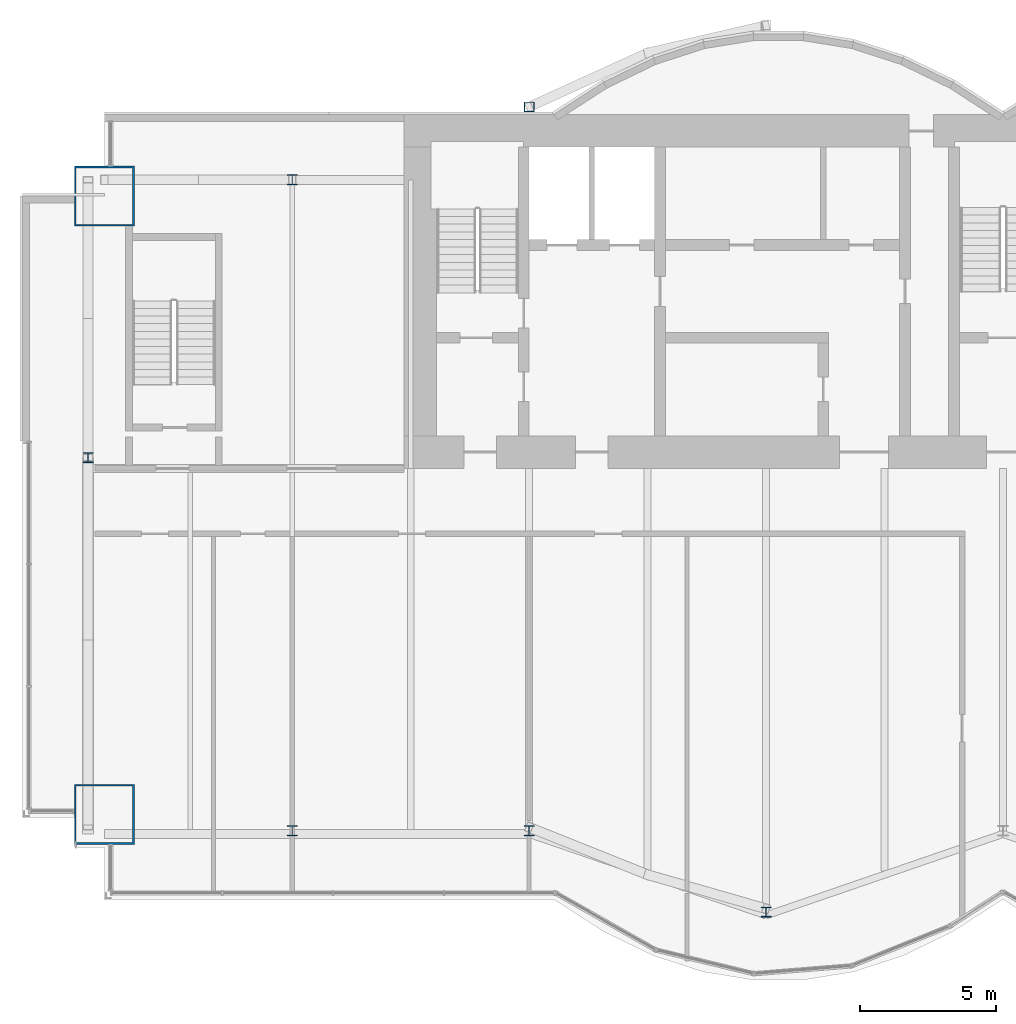
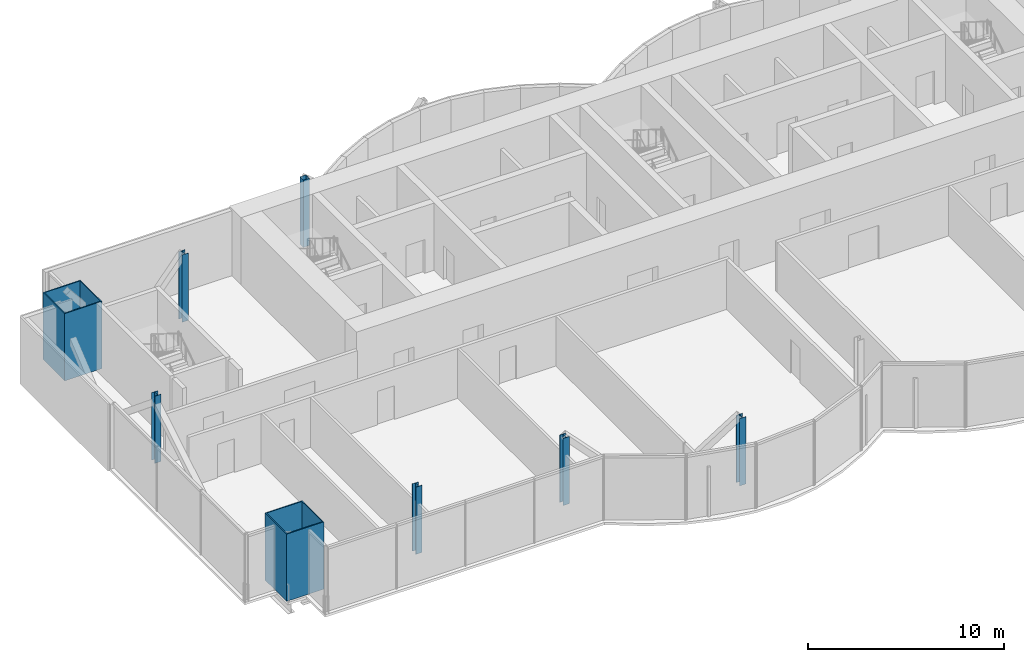
# One storey, part 1 of 19: 8 columns.
"""IFC4 building model written with IfcOpenShell, lengths in metres."""

from ifc_helpers import new_model, si_unit, direction, frame, origin, origin_2d, place, context, subcontext, project, spatial, hollow_rectangle, i_section, extrude, material, material_profile, profile_set, type_object, element, save


model = new_model("IFC4")

# Units and contexts
model_context = context("Model", 3, precision=1e-05, world=origin(), true_north=direction((0.0, 1.0)))
body_context = subcontext(model_context, "Body", "Model", "MODEL_VIEW")
ifc_project = project(units=[si_unit("LENGTHUNIT", "METRE"), si_unit("AREAUNIT", "SQUARE_METRE"), si_unit("VOLUMEUNIT", "CUBIC_METRE"), si_unit("PLANEANGLEUNIT", "RADIAN"), si_unit("MASSUNIT", "GRAM", prefix="KILO")], contexts=[model_context])

# Site, building, storey
site_placement = place(None, origin())
site = spatial("IfcSite", under=ifc_project, at=site_placement, CompositionType="ELEMENT")
building_placement = place(site_placement, origin())
building = spatial("IfcBuilding", under=site, at=building_placement, Name="Bicima Exchange Tower", CompositionType="ELEMENT")
storey_placement = place(building_placement, frame((0.0, 0.0, 266.60009765625)))
storey = spatial("IfcBuildingStorey", under=building, at=storey_placement, Name="L60", CompositionType="ELEMENT", Elevation=266.60009765625)

# Columns
ifc_material_1 = material(Name="Steel ASTM A572 Gr 50", Category="steel")
ifc_material_profile_1 = material_profile(ifc_material_1, hollow_rectangle(XDim=2.199951171875, YDim=2.199951171875, WallThickness=0.06005859375, at=origin_2d()))
ifc_profile_set_1 = profile_set([ifc_material_profile_1], Name="Steel ASTM A572 Gr 50")
column_type_1 = type_object("IfcColumnType", Name="Mega column BOX 2200x2200x60", PredefinedType="COLUMN", material=ifc_profile_set_1)
for number, where, z_axis, x_axis, name in (
    (1, (-33.0, -25.701904296875, 0.0), (0.0, 0.0, 1.0), (1.0, 0.0, 0.0), "Mega column mega-33.0f"),
    (2, (-33.0, -3.0, 0.0), (0.0, 0.0, 1.0), (1.0, 0.0, 0.0), "Mega column mega-33.0r"),
):
    element("IfcColumn", number, at=place(storey_placement, frame(where, z_axis=z_axis, x_axis=x_axis)), inside=storey, type_object=column_type_1, Name=name, PredefinedType="COLUMN", context=body_context, shape_type="SweptSolid", body=[
        extrude(hollow_rectangle(XDim=2.199951171875, YDim=2.199951171875, WallThickness=0.06005859375, at=origin_2d()), origin(), (0.0, 0.0, 1.0), 4.199951171875),
    ])
ifc_material_2 = material(Name="Steel ASTM A992 Gr 50", Category="steel")
ifc_material_profile_2 = material_profile(ifc_material_2, i_section(OverallWidth=0.370849609375, OverallDepth=0.36328125, WebThickness=0.013427734375, FlangeThickness=0.021728515625, at=origin_2d()))
ifc_profile_set_2 = profile_set([ifc_material_profile_2], Name="Steel ASTM A992 Gr 50")
column_type_2 = type_object("IfcColumnType", Name="Perimeter column W14x109", PredefinedType="COLUMN", material=ifc_profile_set_2)
for number, where, z_axis, x_axis, name in (
    (3, (-26.10009765625, -26.302001953125, 0.0), (0.0, 0.0, 1.0), (1.0, 0.0, 0.0), "Perimeter column grav-26.1f"),
    (4, (-26.10009765625, -2.39990234375, 0.0), (0.0, 0.0, 1.0), (1.0, 0.0, 0.0), "Perimeter column grav-26.1r"),
    (5, (-17.39990234375, -26.302001953125, 0.0), (0.0, 0.0, 1.0), (1.0, 0.0, 0.0), "Perimeter column grav-17.4f"),
    (6, (-8.699951171875, -29.293212890625, 0.0), (0.0, 0.0, 1.0), (1.0, 0.0, 0.0), "Perimeter column grav-8.7f"),
    (7, (-33.60009765625, -12.60009765625, 0.0), (0.0, 0.0, 1.0), (1.0, 0.0, 0.0), "End column end-33.6e"),
):
    element("IfcColumn", number, at=place(storey_placement, frame(where, z_axis=z_axis, x_axis=x_axis)), inside=storey, type_object=column_type_2, Name=name, PredefinedType="COLUMN", context=body_context, shape_type="SweptSolid", body=[
        extrude(i_section(OverallWidth=0.370849609375, OverallDepth=0.36328125, WebThickness=0.013427734375, FlangeThickness=0.021728515625, at=origin_2d()), origin(), (0.0, 0.0, 1.0), 4.199951171875),
    ])
ifc_material_profile_3 = material_profile(ifc_material_1, hollow_rectangle(XDim=0.355712890625, YDim=0.355712890625, WallThickness=0.01171875, at=origin_2d()))
ifc_profile_set_3 = profile_set([ifc_material_profile_3], Name="Steel ASTM A572 Gr 50")
column_type_3 = type_object("IfcColumnType", Name="Rear pilaster HSS14x14x1/2", PredefinedType="COLUMN", material=ifc_profile_set_3)
column_placement = place(storey_placement, frame((-17.39990234375, 0.278076171875, 0.0), z_axis=(0.0, 0.0, 1.0), x_axis=(1.0, 0.0, 0.0)))
element("IfcColumn", 8, at=column_placement, inside=storey, type_object=column_type_3, Name="Rear pilaster rexo-17.4r", PredefinedType="COLUMN", context=body_context, shape_type="SweptSolid", body=[
    extrude(hollow_rectangle(XDim=0.355712890625, YDim=0.355712890625, WallThickness=0.01171875, at=origin_2d()), origin(), (0.0, 0.0, 1.0), 4.199951171875),
])

save(model, "model.ifc")
